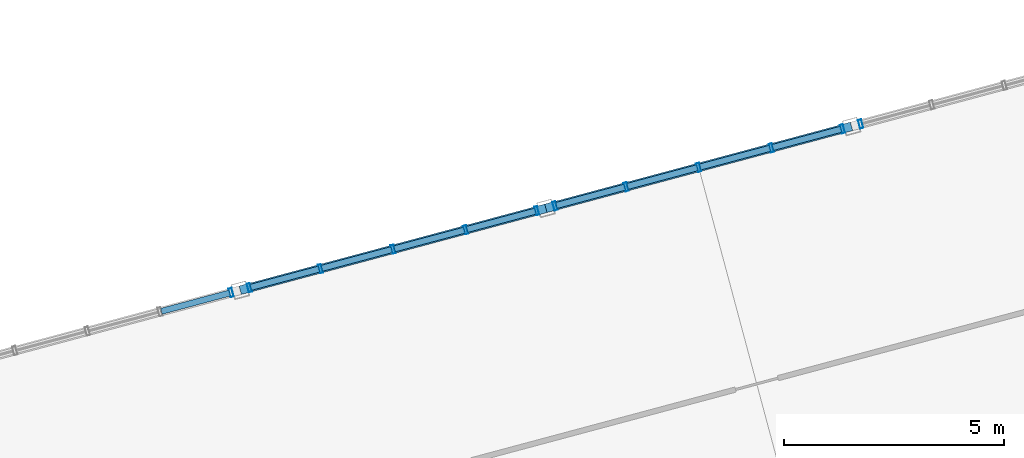
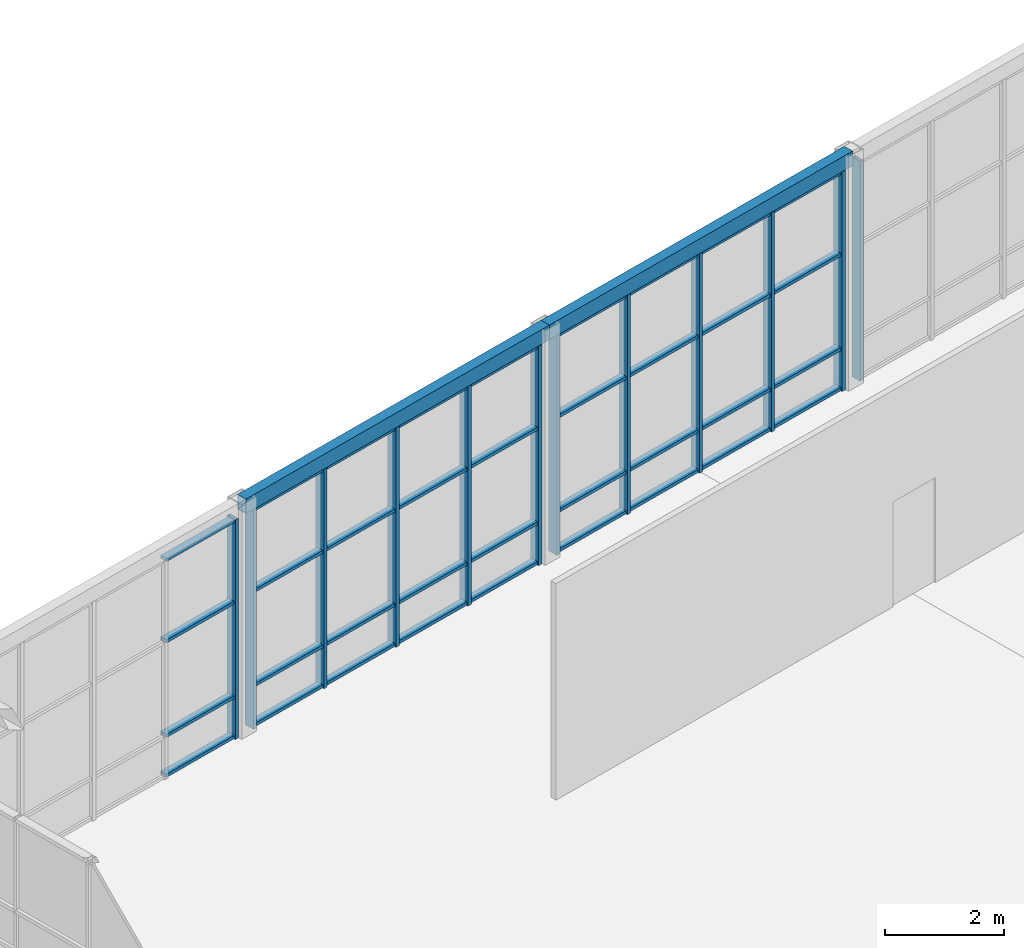
# One storey, part 37 of 99: 48 members, 2 beams, 4 elements without a shape of their own.
"""IFC4 building model written with IfcOpenShell, lengths in metres."""

from ifc_helpers import new_model, si_unit, direction, frame, origin, origin_2d, place, context, subcontext, project, spatial, hollow_rectangle, extrude, material, layer, layer_set, material_profile, profile_set, type_object, element, aggregate, save


model = new_model("IFC4")

# Units and contexts
model_context = context("Model", 3, precision=1e-05, world=origin(), true_north=direction((0.0, 1.0)))
body_context = subcontext(model_context, "Body", "Model", "MODEL_VIEW")
ifc_project = project(units=[si_unit("LENGTHUNIT", "METRE"), si_unit("AREAUNIT", "SQUARE_METRE"), si_unit("VOLUMEUNIT", "CUBIC_METRE"), si_unit("PLANEANGLEUNIT", "RADIAN"), si_unit("MASSUNIT", "GRAM", prefix="KILO")], contexts=[model_context])

# Site, building, storey
site_placement = place(None, origin())
site = spatial("IfcSite", under=ifc_project, at=site_placement, CompositionType="ELEMENT")
building_placement = place(site_placement, origin())
building = spatial("IfcBuilding", under=site, at=building_placement, Name="Ventoquebrada Cableway Terminal", CompositionType="ELEMENT")
storey_placement = place(building_placement, frame((0.0, 0.0, 9.60009765625)))
storey = spatial("IfcBuildingStorey", under=building, at=storey_placement, Name="L02", CompositionType="ELEMENT", Elevation=9.60009765625)

# Curtain wall, member
ifc_material_1 = material(Name="Anodized thermally-broken aluminium", Category="aluminium")
ifc_layer = layer(ifc_material_1, 0.159912109375)
ifc_layer_set = layer_set([ifc_layer], Name="Anodized thermally-broken aluminium")
curtain_wall_type = type_object("IfcCurtainWallType", Name="CW-T40", PredefinedType="USERDEFINED", material=ifc_layer_set)
curtain_wall_1_placement = place(storey_placement, origin())
curtain_wall_1 = element("IfcCurtainWall", 1, at=curtain_wall_1_placement, inside=storey, type_object=curtain_wall_type, Name="Unitised glazed curtain wall CW-106", ObjectType="UNITISED CURTAIN WALL", PredefinedType="USERDEFINED")
ifc_material_profile_1 = material_profile(ifc_material_1, hollow_rectangle(XDim=0.074951171875, YDim=0.199951171875, WallThickness=0.00439453125, at=origin_2d()), Name="CW-MUL-75X200")
ifc_profile_set_1 = profile_set([ifc_material_profile_1], Name="Anodized thermally-broken aluminium")
member_type_1 = type_object("IfcMemberType", Name="CWM-02", PredefinedType="MULLION", material=ifc_profile_set_1)
member_1_placement = place(storey_placement, frame((51.9951171875, 96.7060546875, -0.008056640625), z_axis=(0.0, 0.0, 1.0), x_axis=(-0.965930343386, -0.258802186477, 0.0)))
member_1 = element("IfcMember", 2, at=member_1_placement, type_object=member_type_1, Name="Curtain wall mullion FML-0515", PredefinedType="MULLION", context=body_context, shape_type="SweptSolid", body=[
    extrude(hollow_rectangle(XDim=0.074951171875, YDim=0.199951171875, WallThickness=0.00439453125, at=origin_2d()), origin(), (0.0, 0.0, 1.0), 4.5029296875),
])

# Curtain wall, members
curtain_wall_2_placement = place(storey_placement, origin())
curtain_wall_2 = element("IfcCurtainWall", 3, at=curtain_wall_2_placement, inside=storey, type_object=curtain_wall_type, Name="Unitised glazed curtain wall CW-107", ObjectType="UNITISED CURTAIN WALL", PredefinedType="USERDEFINED")
member_2_placement = place(storey_placement, frame((58.949951171875, 98.569091796875, -0.008056640625), z_axis=(0.0, 0.0, 1.0), x_axis=(-0.965975498177, -0.258633595888, 0.0)))
member_2 = element("IfcMember", 4, at=member_2_placement, type_object=member_type_1, Name="Curtain wall mullion FML-0520", PredefinedType="MULLION", context=body_context, shape_type="SweptSolid", body=[
    extrude(hollow_rectangle(XDim=0.074951171875, YDim=0.199951171875, WallThickness=0.00439453125, at=origin_2d()), origin(), (0.0, 0.0, 1.0), 4.5029296875),
])
member_3_placement = place(storey_placement, frame((57.33203125, 98.135986328125, -0.008056640625), z_axis=(0.0, 0.0, 1.0), x_axis=(-0.965975498177, -0.258633595888, 0.0)))
member_3 = element("IfcMember", 5, at=member_3_placement, type_object=member_type_1, Name="Curtain wall mullion FML-0521", PredefinedType="MULLION", context=body_context, shape_type="SweptSolid", body=[
    extrude(hollow_rectangle(XDim=0.074951171875, YDim=0.199951171875, WallThickness=0.00439453125, at=origin_2d()), origin(), (0.0, 0.0, 1.0), 4.5029296875),
])
member_4_placement = place(storey_placement, frame((55.680908203125, 97.694091796875, -0.008056640625), z_axis=(0.0, 0.0, 1.0), x_axis=(-0.965975498177, -0.258633595888, 0.0)))
member_4 = element("IfcMember", 6, at=member_4_placement, type_object=member_type_1, Name="Curtain wall mullion FML-0522", PredefinedType="MULLION", context=body_context, shape_type="SweptSolid", body=[
    extrude(hollow_rectangle(XDim=0.074951171875, YDim=0.199951171875, WallThickness=0.00439453125, at=origin_2d()), origin(), (0.0, 0.0, 1.0), 4.5029296875),
])
member_5_placement = place(storey_placement, frame((54.029052734375, 97.2509765625, -0.008056640625), z_axis=(0.0, 0.0, 1.0), x_axis=(-0.965975498177, -0.258633595888, 0.0)))
member_5 = element("IfcMember", 7, at=member_5_placement, type_object=member_type_1, Name="Curtain wall mullion FML-0523", PredefinedType="MULLION", context=body_context, shape_type="SweptSolid", body=[
    extrude(hollow_rectangle(XDim=0.074951171875, YDim=0.199951171875, WallThickness=0.00439453125, at=origin_2d()), origin(), (0.0, 0.0, 1.0), 4.5029296875),
])
member_6_placement = place(storey_placement, frame((52.410888671875, 96.818115234375, -0.008056640625), z_axis=(0.0, 0.0, 1.0), x_axis=(-0.965975498177, -0.258633595888, 0.0)))
member_6 = element("IfcMember", 8, at=member_6_placement, type_object=member_type_1, Name="Curtain wall mullion FML-0524", PredefinedType="MULLION", context=body_context, shape_type="SweptSolid", body=[
    extrude(hollow_rectangle(XDim=0.074951171875, YDim=0.199951171875, WallThickness=0.00439453125, at=origin_2d()), origin(), (0.0, 0.0, 1.0), 4.5029296875),
])

curtain_wall_3_placement = place(storey_placement, origin())
curtain_wall_3 = element("IfcCurtainWall", 9, at=curtain_wall_3_placement, inside=storey, type_object=curtain_wall_type, Name="Unitised glazed curtain wall CW-108", ObjectType="UNITISED CURTAIN WALL", PredefinedType="USERDEFINED")
member_7_placement = place(storey_placement, frame((65.905029296875, 100.43310546875, -0.008056640625), z_axis=(0.0, 0.0, 1.0), x_axis=(-0.965939376699, -0.25876846899, 0.0)))
member_7 = element("IfcMember", 10, at=member_7_placement, type_object=member_type_1, Name="Curtain wall mullion FML-0525", PredefinedType="MULLION", context=body_context, shape_type="SweptSolid", body=[
    extrude(hollow_rectangle(XDim=0.074951171875, YDim=0.199951171875, WallThickness=0.00439453125, at=origin_2d()), origin(), (0.0, 0.0, 1.0), 4.5029296875),
])
member_8_placement = place(storey_placement, frame((64.287109375, 99.9990234375, -0.008056640625), z_axis=(0.0, 0.0, 1.0), x_axis=(-0.965939376699, -0.25876846899, 0.0)))
member_8 = element("IfcMember", 11, at=member_8_placement, type_object=member_type_1, Name="Curtain wall mullion FML-0526", PredefinedType="MULLION", context=body_context, shape_type="SweptSolid", body=[
    extrude(hollow_rectangle(XDim=0.074951171875, YDim=0.199951171875, WallThickness=0.00439453125, at=origin_2d()), origin(), (0.0, 0.0, 1.0), 4.5029296875),
])
member_9_placement = place(storey_placement, frame((62.635009765625, 99.556884765625, -0.008056640625), z_axis=(0.0, 0.0, 1.0), x_axis=(-0.965939376699, -0.25876846899, 0.0)))
member_9 = element("IfcMember", 12, at=member_9_placement, type_object=member_type_1, Name="Curtain wall mullion FML-0527", PredefinedType="MULLION", context=body_context, shape_type="SweptSolid", body=[
    extrude(hollow_rectangle(XDim=0.074951171875, YDim=0.199951171875, WallThickness=0.00439453125, at=origin_2d()), origin(), (0.0, 0.0, 1.0), 4.5029296875),
])
member_10_placement = place(storey_placement, frame((60.98388671875, 99.114013671875, -0.008056640625), z_axis=(0.0, 0.0, 1.0), x_axis=(-0.965939376699, -0.25876846899, 0.0)))
member_10 = element("IfcMember", 13, at=member_10_placement, type_object=member_type_1, Name="Curtain wall mullion FML-0528", PredefinedType="MULLION", context=body_context, shape_type="SweptSolid", body=[
    extrude(hollow_rectangle(XDim=0.074951171875, YDim=0.199951171875, WallThickness=0.00439453125, at=origin_2d()), origin(), (0.0, 0.0, 1.0), 4.5029296875),
])
member_11_placement = place(storey_placement, frame((59.365966796875, 98.680908203125, -0.008056640625), z_axis=(0.0, 0.0, 1.0), x_axis=(-0.965939376699, -0.25876846899, 0.0)))
member_11 = element("IfcMember", 14, at=member_11_placement, type_object=member_type_1, Name="Curtain wall mullion FML-0529", PredefinedType="MULLION", context=body_context, shape_type="SweptSolid", body=[
    extrude(hollow_rectangle(XDim=0.074951171875, YDim=0.199951171875, WallThickness=0.00439453125, at=origin_2d()), origin(), (0.0, 0.0, 1.0), 4.5029296875),
])

# Curtain wall, member
curtain_wall_4_placement = place(storey_placement, origin())
curtain_wall_4 = element("IfcCurtainWall", 15, at=curtain_wall_4_placement, inside=storey, type_object=curtain_wall_type, Name="Unitised glazed curtain wall CW-109", ObjectType="UNITISED CURTAIN WALL", PredefinedType="USERDEFINED")
member_12_placement = place(storey_placement, frame((66.321044921875, 100.544921875, -0.008056640625), z_axis=(0.0, 0.0, 1.0), x_axis=(-0.965966469573, -0.258667314636, 0.0)))
member_12 = element("IfcMember", 16, at=member_12_placement, type_object=member_type_1, Name="Curtain wall mullion FML-0534", PredefinedType="MULLION", context=body_context, shape_type="SweptSolid", body=[
    extrude(hollow_rectangle(XDim=0.074951171875, YDim=0.199951171875, WallThickness=0.00439453125, at=origin_2d()), origin(), (0.0, 0.0, 1.0), 4.5029296875),
])
aggregate(curtain_wall_4, [member_12])

# Member
ifc_material_profile_2 = material_profile(ifc_material_1, hollow_rectangle(XDim=0.06494140625, YDim=0.139892578125, WallThickness=0.00390625, at=origin_2d()), Name="CW-TRN-65X140")
ifc_profile_set_2 = profile_set([ifc_material_profile_2], Name="Anodized thermally-broken aluminium")
member_type_2 = type_object("IfcMemberType", Name="CWT-01", PredefinedType="USERDEFINED", material=ifc_profile_set_2)
member_13_placement = place(storey_placement, frame((51.964111328125, 96.697998046875, 0.034912109375), z_axis=(-0.965881701481, -0.258983665013, 0.0), x_axis=(0.0, 0.0, 1.0)))
member_13 = element("IfcMember", 17, at=member_13_placement, type_object=member_type_2, Name="Curtain wall transom FTR-1516", ObjectType="TRANSOM", PredefinedType="USERDEFINED", context=body_context, shape_type="SweptSolid", body=[
    extrude(hollow_rectangle(XDim=0.06494140625, YDim=0.139892578125, WallThickness=0.00390625, at=origin_2d()), origin(), (0.0, 0.0, 1.0), 1.610107421875),
])

member_14_placement = place(storey_placement, frame((51.964111328125, 96.697998046875, 0.849853515625), z_axis=(-0.965881701481, -0.258983665013, 0.0), x_axis=(0.0, 0.0, 1.0)))
member_14 = element("IfcMember", 18, at=member_14_placement, type_object=member_type_2, Name="Curtain wall transom FTR-1517", ObjectType="TRANSOM", PredefinedType="USERDEFINED", context=body_context, shape_type="SweptSolid", body=[
    extrude(hollow_rectangle(XDim=0.06494140625, YDim=0.139892578125, WallThickness=0.00390625, at=origin_2d()), origin(), (0.0, 0.0, 1.0), 1.610107421875),
])

member_15_placement = place(storey_placement, frame((51.964111328125, 96.697998046875, 2.783935546875), z_axis=(-0.965881701481, -0.258983665013, 0.0), x_axis=(0.0, 0.0, 1.0)))
member_15 = element("IfcMember", 19, at=member_15_placement, type_object=member_type_2, Name="Curtain wall transom FTR-1518", ObjectType="TRANSOM", PredefinedType="USERDEFINED", context=body_context, shape_type="SweptSolid", body=[
    extrude(hollow_rectangle(XDim=0.06494140625, YDim=0.139892578125, WallThickness=0.00390625, at=origin_2d()), origin(), (0.0, 0.0, 1.0), 1.610107421875),
])

member_16_placement = place(storey_placement, frame((51.964111328125, 96.697998046875, 4.454833984375), z_axis=(-0.965881701481, -0.258983665013, 0.0), x_axis=(0.0, 0.0, 1.0)))
member_16 = element("IfcMember", 20, at=member_16_placement, type_object=member_type_2, Name="Curtain wall transom FTR-1519", ObjectType="TRANSOM", PredefinedType="USERDEFINED", context=body_context, shape_type="SweptSolid", body=[
    extrude(hollow_rectangle(XDim=0.06494140625, YDim=0.139892578125, WallThickness=0.00390625, at=origin_2d()), origin(), (0.0, 0.0, 1.0), 1.610107421875),
])

aggregate(curtain_wall_1, [member_1, member_13, member_14, member_15, member_16])

member_17_placement = place(storey_placement, frame((58.9189453125, 98.56103515625, 0.034912109375), z_axis=(-0.965871529052, -0.259021600192, 0.0), x_axis=(0.0, 0.0, 1.0)))
member_17 = element("IfcMember", 21, at=member_17_placement, type_object=member_type_2, Name="Curtain wall transom FTR-1532", ObjectType="TRANSOM", PredefinedType="USERDEFINED", context=body_context, shape_type="SweptSolid", body=[
    extrude(hollow_rectangle(XDim=0.06494140625, YDim=0.139892578125, WallThickness=0.00390625, at=origin_2d()), origin(), (0.0, 0.0, 1.0), 1.60986328125),
])

member_18_placement = place(storey_placement, frame((58.9189453125, 98.56103515625, 0.849853515625), z_axis=(-0.965871529052, -0.259021600192, 0.0), x_axis=(0.0, 0.0, 1.0)))
member_18 = element("IfcMember", 22, at=member_18_placement, type_object=member_type_2, Name="Curtain wall transom FTR-1533", ObjectType="TRANSOM", PredefinedType="USERDEFINED", context=body_context, shape_type="SweptSolid", body=[
    extrude(hollow_rectangle(XDim=0.06494140625, YDim=0.139892578125, WallThickness=0.00390625, at=origin_2d()), origin(), (0.0, 0.0, 1.0), 1.60986328125),
])

member_19_placement = place(storey_placement, frame((58.9189453125, 98.56103515625, 2.783935546875), z_axis=(-0.965871529052, -0.259021600192, 0.0), x_axis=(0.0, 0.0, 1.0)))
member_19 = element("IfcMember", 23, at=member_19_placement, type_object=member_type_2, Name="Curtain wall transom FTR-1534", ObjectType="TRANSOM", PredefinedType="USERDEFINED", context=body_context, shape_type="SweptSolid", body=[
    extrude(hollow_rectangle(XDim=0.06494140625, YDim=0.139892578125, WallThickness=0.00390625, at=origin_2d()), origin(), (0.0, 0.0, 1.0), 1.60986328125),
])

member_20_placement = place(storey_placement, frame((58.9189453125, 98.56103515625, 4.454833984375), z_axis=(-0.965871529052, -0.259021600192, 0.0), x_axis=(0.0, 0.0, 1.0)))
member_20 = element("IfcMember", 24, at=member_20_placement, type_object=member_type_2, Name="Curtain wall transom FTR-1535", ObjectType="TRANSOM", PredefinedType="USERDEFINED", context=body_context, shape_type="SweptSolid", body=[
    extrude(hollow_rectangle(XDim=0.06494140625, YDim=0.139892578125, WallThickness=0.00390625, at=origin_2d()), origin(), (0.0, 0.0, 1.0), 1.60986328125),
])

member_21_placement = place(storey_placement, frame((57.301025390625, 98.126953125, 0.034912109375), z_axis=(-0.966040060403, -0.25839234063, 0.0), x_axis=(0.0, 0.0, 1.0)))
member_21 = element("IfcMember", 25, at=member_21_placement, type_object=member_type_2, Name="Curtain wall transom FTR-1536", ObjectType="TRANSOM", PredefinedType="USERDEFINED", context=body_context, shape_type="SweptSolid", body=[
    extrude(hollow_rectangle(XDim=0.06494140625, YDim=0.139892578125, WallThickness=0.00390625, at=origin_2d()), origin(), (0.0, 0.0, 1.0), 1.64501953125),
])

member_22_placement = place(storey_placement, frame((57.301025390625, 98.126953125, 0.849853515625), z_axis=(-0.966040060403, -0.25839234063, 0.0), x_axis=(0.0, 0.0, 1.0)))
member_22 = element("IfcMember", 26, at=member_22_placement, type_object=member_type_2, Name="Curtain wall transom FTR-1537", ObjectType="TRANSOM", PredefinedType="USERDEFINED", context=body_context, shape_type="SweptSolid", body=[
    extrude(hollow_rectangle(XDim=0.06494140625, YDim=0.139892578125, WallThickness=0.00390625, at=origin_2d()), origin(), (0.0, 0.0, 1.0), 1.64501953125),
])

member_23_placement = place(storey_placement, frame((57.301025390625, 98.126953125, 2.783935546875), z_axis=(-0.966040060403, -0.25839234063, 0.0), x_axis=(0.0, 0.0, 1.0)))
member_23 = element("IfcMember", 27, at=member_23_placement, type_object=member_type_2, Name="Curtain wall transom FTR-1538", ObjectType="TRANSOM", PredefinedType="USERDEFINED", context=body_context, shape_type="SweptSolid", body=[
    extrude(hollow_rectangle(XDim=0.06494140625, YDim=0.139892578125, WallThickness=0.00390625, at=origin_2d()), origin(), (0.0, 0.0, 1.0), 1.64501953125),
])

member_24_placement = place(storey_placement, frame((57.301025390625, 98.126953125, 4.454833984375), z_axis=(-0.966040060403, -0.25839234063, 0.0), x_axis=(0.0, 0.0, 1.0)))
member_24 = element("IfcMember", 28, at=member_24_placement, type_object=member_type_2, Name="Curtain wall transom FTR-1539", ObjectType="TRANSOM", PredefinedType="USERDEFINED", context=body_context, shape_type="SweptSolid", body=[
    extrude(hollow_rectangle(XDim=0.06494140625, YDim=0.139892578125, WallThickness=0.00390625, at=origin_2d()), origin(), (0.0, 0.0, 1.0), 1.64501953125),
])

member_25_placement = place(storey_placement, frame((55.64892578125, 97.68505859375, 0.034912109375), z_axis=(-0.966030149036, -0.258429392974, 0.0), x_axis=(0.0, 0.0, 1.0)))
member_25 = element("IfcMember", 29, at=member_25_placement, type_object=member_type_2, Name="Curtain wall transom FTR-1540", ObjectType="TRANSOM", PredefinedType="USERDEFINED", context=body_context, shape_type="SweptSolid", body=[
    extrude(hollow_rectangle(XDim=0.06494140625, YDim=0.139892578125, WallThickness=0.00390625, at=origin_2d()), origin(), (0.0, 0.0, 1.0), 1.644775390625),
])

member_26_placement = place(storey_placement, frame((55.64892578125, 97.68505859375, 0.849853515625), z_axis=(-0.966030149036, -0.258429392974, 0.0), x_axis=(0.0, 0.0, 1.0)))
member_26 = element("IfcMember", 30, at=member_26_placement, type_object=member_type_2, Name="Curtain wall transom FTR-1541", ObjectType="TRANSOM", PredefinedType="USERDEFINED", context=body_context, shape_type="SweptSolid", body=[
    extrude(hollow_rectangle(XDim=0.06494140625, YDim=0.139892578125, WallThickness=0.00390625, at=origin_2d()), origin(), (0.0, 0.0, 1.0), 1.644775390625),
])

member_27_placement = place(storey_placement, frame((55.64892578125, 97.68505859375, 2.783935546875), z_axis=(-0.966030149036, -0.258429392974, 0.0), x_axis=(0.0, 0.0, 1.0)))
member_27 = element("IfcMember", 31, at=member_27_placement, type_object=member_type_2, Name="Curtain wall transom FTR-1542", ObjectType="TRANSOM", PredefinedType="USERDEFINED", context=body_context, shape_type="SweptSolid", body=[
    extrude(hollow_rectangle(XDim=0.06494140625, YDim=0.139892578125, WallThickness=0.00390625, at=origin_2d()), origin(), (0.0, 0.0, 1.0), 1.644775390625),
])

member_28_placement = place(storey_placement, frame((55.64892578125, 97.68505859375, 4.454833984375), z_axis=(-0.966030149036, -0.258429392974, 0.0), x_axis=(0.0, 0.0, 1.0)))
member_28 = element("IfcMember", 32, at=member_28_placement, type_object=member_type_2, Name="Curtain wall transom FTR-1543", ObjectType="TRANSOM", PredefinedType="USERDEFINED", context=body_context, shape_type="SweptSolid", body=[
    extrude(hollow_rectangle(XDim=0.06494140625, YDim=0.139892578125, WallThickness=0.00390625, at=origin_2d()), origin(), (0.0, 0.0, 1.0), 1.644775390625),
])

member_29_placement = place(storey_placement, frame((53.9970703125, 97.242919921875, 0.034912109375), z_axis=(-0.965881701481, -0.258983665013, 0.0), x_axis=(0.0, 0.0, 1.0)))
member_29 = element("IfcMember", 33, at=member_29_placement, type_object=member_type_2, Name="Curtain wall transom FTR-1544", ObjectType="TRANSOM", PredefinedType="USERDEFINED", context=body_context, shape_type="SweptSolid", body=[
    extrude(hollow_rectangle(XDim=0.06494140625, YDim=0.139892578125, WallThickness=0.00390625, at=origin_2d()), origin(), (0.0, 0.0, 1.0), 1.610107421875),
])

member_30_placement = place(storey_placement, frame((53.9970703125, 97.242919921875, 0.849853515625), z_axis=(-0.965881701481, -0.258983665013, 0.0), x_axis=(0.0, 0.0, 1.0)))
member_30 = element("IfcMember", 34, at=member_30_placement, type_object=member_type_2, Name="Curtain wall transom FTR-1545", ObjectType="TRANSOM", PredefinedType="USERDEFINED", context=body_context, shape_type="SweptSolid", body=[
    extrude(hollow_rectangle(XDim=0.06494140625, YDim=0.139892578125, WallThickness=0.00390625, at=origin_2d()), origin(), (0.0, 0.0, 1.0), 1.610107421875),
])

member_31_placement = place(storey_placement, frame((53.9970703125, 97.242919921875, 2.783935546875), z_axis=(-0.965881701481, -0.258983665013, 0.0), x_axis=(0.0, 0.0, 1.0)))
member_31 = element("IfcMember", 35, at=member_31_placement, type_object=member_type_2, Name="Curtain wall transom FTR-1546", ObjectType="TRANSOM", PredefinedType="USERDEFINED", context=body_context, shape_type="SweptSolid", body=[
    extrude(hollow_rectangle(XDim=0.06494140625, YDim=0.139892578125, WallThickness=0.00390625, at=origin_2d()), origin(), (0.0, 0.0, 1.0), 1.610107421875),
])

member_32_placement = place(storey_placement, frame((53.9970703125, 97.242919921875, 4.454833984375), z_axis=(-0.965881701481, -0.258983665013, 0.0), x_axis=(0.0, 0.0, 1.0)))
member_32 = element("IfcMember", 36, at=member_32_placement, type_object=member_type_2, Name="Curtain wall transom FTR-1547", ObjectType="TRANSOM", PredefinedType="USERDEFINED", context=body_context, shape_type="SweptSolid", body=[
    extrude(hollow_rectangle(XDim=0.06494140625, YDim=0.139892578125, WallThickness=0.00390625, at=origin_2d()), origin(), (0.0, 0.0, 1.0), 1.610107421875),
])

aggregate(curtain_wall_2, [member_2, member_3, member_4, member_5, member_6, member_17, member_18, member_19, member_20, member_21, member_22, member_23, member_24, member_25, member_26, member_27, member_28, member_29, member_30, member_31, member_32])

member_33_placement = place(storey_placement, frame((65.8740234375, 100.425048828125, 0.034912109375), z_axis=(-0.965871529052, -0.259021600192, 0.0), x_axis=(0.0, 0.0, 1.0)))
member_33 = element("IfcMember", 37, at=member_33_placement, type_object=member_type_2, Name="Curtain wall transom FTR-1548", ObjectType="TRANSOM", PredefinedType="USERDEFINED", context=body_context, shape_type="SweptSolid", body=[
    extrude(hollow_rectangle(XDim=0.06494140625, YDim=0.139892578125, WallThickness=0.00390625, at=origin_2d()), origin(), (0.0, 0.0, 1.0), 1.60986328125),
])

member_34_placement = place(storey_placement, frame((65.8740234375, 100.425048828125, 0.849853515625), z_axis=(-0.965871529052, -0.259021600192, 0.0), x_axis=(0.0, 0.0, 1.0)))
member_34 = element("IfcMember", 38, at=member_34_placement, type_object=member_type_2, Name="Curtain wall transom FTR-1549", ObjectType="TRANSOM", PredefinedType="USERDEFINED", context=body_context, shape_type="SweptSolid", body=[
    extrude(hollow_rectangle(XDim=0.06494140625, YDim=0.139892578125, WallThickness=0.00390625, at=origin_2d()), origin(), (0.0, 0.0, 1.0), 1.60986328125),
])

member_35_placement = place(storey_placement, frame((65.8740234375, 100.425048828125, 2.783935546875), z_axis=(-0.965871529052, -0.259021600192, 0.0), x_axis=(0.0, 0.0, 1.0)))
member_35 = element("IfcMember", 39, at=member_35_placement, type_object=member_type_2, Name="Curtain wall transom FTR-1550", ObjectType="TRANSOM", PredefinedType="USERDEFINED", context=body_context, shape_type="SweptSolid", body=[
    extrude(hollow_rectangle(XDim=0.06494140625, YDim=0.139892578125, WallThickness=0.00390625, at=origin_2d()), origin(), (0.0, 0.0, 1.0), 1.60986328125),
])

member_36_placement = place(storey_placement, frame((65.8740234375, 100.425048828125, 4.454833984375), z_axis=(-0.965871529052, -0.259021600192, 0.0), x_axis=(0.0, 0.0, 1.0)))
member_36 = element("IfcMember", 40, at=member_36_placement, type_object=member_type_2, Name="Curtain wall transom FTR-1551", ObjectType="TRANSOM", PredefinedType="USERDEFINED", context=body_context, shape_type="SweptSolid", body=[
    extrude(hollow_rectangle(XDim=0.06494140625, YDim=0.139892578125, WallThickness=0.00390625, at=origin_2d()), origin(), (0.0, 0.0, 1.0), 1.60986328125),
])

member_37_placement = place(storey_placement, frame((64.256103515625, 99.990966796875, 0.034912109375), z_axis=(-0.965891735452, -0.258946240339, 0.0), x_axis=(0.0, 0.0, 1.0)))
member_37 = element("IfcMember", 41, at=member_37_placement, type_object=member_type_2, Name="Curtain wall transom FTR-1552", ObjectType="TRANSOM", PredefinedType="USERDEFINED", context=body_context, shape_type="SweptSolid", body=[
    extrude(hollow_rectangle(XDim=0.06494140625, YDim=0.139892578125, WallThickness=0.00390625, at=origin_2d()), origin(), (0.0, 0.0, 1.0), 1.645263671875),
])

member_38_placement = place(storey_placement, frame((64.256103515625, 99.990966796875, 0.849853515625), z_axis=(-0.965891735452, -0.258946240339, 0.0), x_axis=(0.0, 0.0, 1.0)))
member_38 = element("IfcMember", 42, at=member_38_placement, type_object=member_type_2, Name="Curtain wall transom FTR-1553", ObjectType="TRANSOM", PredefinedType="USERDEFINED", context=body_context, shape_type="SweptSolid", body=[
    extrude(hollow_rectangle(XDim=0.06494140625, YDim=0.139892578125, WallThickness=0.00390625, at=origin_2d()), origin(), (0.0, 0.0, 1.0), 1.645263671875),
])

member_39_placement = place(storey_placement, frame((64.256103515625, 99.990966796875, 2.783935546875), z_axis=(-0.965891735452, -0.258946240339, 0.0), x_axis=(0.0, 0.0, 1.0)))
member_39 = element("IfcMember", 43, at=member_39_placement, type_object=member_type_2, Name="Curtain wall transom FTR-1554", ObjectType="TRANSOM", PredefinedType="USERDEFINED", context=body_context, shape_type="SweptSolid", body=[
    extrude(hollow_rectangle(XDim=0.06494140625, YDim=0.139892578125, WallThickness=0.00390625, at=origin_2d()), origin(), (0.0, 0.0, 1.0), 1.645263671875),
])

member_40_placement = place(storey_placement, frame((64.256103515625, 99.990966796875, 4.454833984375), z_axis=(-0.965891735452, -0.258946240339, 0.0), x_axis=(0.0, 0.0, 1.0)))
member_40 = element("IfcMember", 44, at=member_40_placement, type_object=member_type_2, Name="Curtain wall transom FTR-1555", ObjectType="TRANSOM", PredefinedType="USERDEFINED", context=body_context, shape_type="SweptSolid", body=[
    extrude(hollow_rectangle(XDim=0.06494140625, YDim=0.139892578125, WallThickness=0.00390625, at=origin_2d()), origin(), (0.0, 0.0, 1.0), 1.645263671875),
])

member_41_placement = place(storey_placement, frame((62.60400390625, 99.549072265625, 0.034912109375), z_axis=(-0.965891735452, -0.258946240339, 0.0), x_axis=(0.0, 0.0, 1.0)))
member_41 = element("IfcMember", 45, at=member_41_placement, type_object=member_type_2, Name="Curtain wall transom FTR-1556", ObjectType="TRANSOM", PredefinedType="USERDEFINED", context=body_context, shape_type="SweptSolid", body=[
    extrude(hollow_rectangle(XDim=0.06494140625, YDim=0.139892578125, WallThickness=0.00390625, at=origin_2d()), origin(), (0.0, 0.0, 1.0), 1.645263671875),
])

member_42_placement = place(storey_placement, frame((62.60400390625, 99.549072265625, 0.849853515625), z_axis=(-0.965891735452, -0.258946240339, 0.0), x_axis=(0.0, 0.0, 1.0)))
member_42 = element("IfcMember", 46, at=member_42_placement, type_object=member_type_2, Name="Curtain wall transom FTR-1557", ObjectType="TRANSOM", PredefinedType="USERDEFINED", context=body_context, shape_type="SweptSolid", body=[
    extrude(hollow_rectangle(XDim=0.06494140625, YDim=0.139892578125, WallThickness=0.00390625, at=origin_2d()), origin(), (0.0, 0.0, 1.0), 1.645263671875),
])

member_43_placement = place(storey_placement, frame((62.60400390625, 99.549072265625, 2.783935546875), z_axis=(-0.965891735452, -0.258946240339, 0.0), x_axis=(0.0, 0.0, 1.0)))
member_43 = element("IfcMember", 47, at=member_43_placement, type_object=member_type_2, Name="Curtain wall transom FTR-1558", ObjectType="TRANSOM", PredefinedType="USERDEFINED", context=body_context, shape_type="SweptSolid", body=[
    extrude(hollow_rectangle(XDim=0.06494140625, YDim=0.139892578125, WallThickness=0.00390625, at=origin_2d()), origin(), (0.0, 0.0, 1.0), 1.645263671875),
])

member_44_placement = place(storey_placement, frame((62.60400390625, 99.549072265625, 4.454833984375), z_axis=(-0.965891735452, -0.258946240339, 0.0), x_axis=(0.0, 0.0, 1.0)))
member_44 = element("IfcMember", 48, at=member_44_placement, type_object=member_type_2, Name="Curtain wall transom FTR-1559", ObjectType="TRANSOM", PredefinedType="USERDEFINED", context=body_context, shape_type="SweptSolid", body=[
    extrude(hollow_rectangle(XDim=0.06494140625, YDim=0.139892578125, WallThickness=0.00390625, at=origin_2d()), origin(), (0.0, 0.0, 1.0), 1.645263671875),
])

member_45_placement = place(storey_placement, frame((60.951904296875, 99.10595703125, 0.034912109375), z_axis=(-0.965871529052, -0.259021600192, 0.0), x_axis=(0.0, 0.0, 1.0)))
member_45 = element("IfcMember", 49, at=member_45_placement, type_object=member_type_2, Name="Curtain wall transom FTR-1560", ObjectType="TRANSOM", PredefinedType="USERDEFINED", context=body_context, shape_type="SweptSolid", body=[
    extrude(hollow_rectangle(XDim=0.06494140625, YDim=0.139892578125, WallThickness=0.00390625, at=origin_2d()), origin(), (0.0, 0.0, 1.0), 1.60986328125),
])

member_46_placement = place(storey_placement, frame((60.951904296875, 99.10595703125, 0.849853515625), z_axis=(-0.965871529052, -0.259021600192, 0.0), x_axis=(0.0, 0.0, 1.0)))
member_46 = element("IfcMember", 50, at=member_46_placement, type_object=member_type_2, Name="Curtain wall transom FTR-1561", ObjectType="TRANSOM", PredefinedType="USERDEFINED", context=body_context, shape_type="SweptSolid", body=[
    extrude(hollow_rectangle(XDim=0.06494140625, YDim=0.139892578125, WallThickness=0.00390625, at=origin_2d()), origin(), (0.0, 0.0, 1.0), 1.60986328125),
])

member_47_placement = place(storey_placement, frame((60.951904296875, 99.10595703125, 2.783935546875), z_axis=(-0.965871529052, -0.259021600192, 0.0), x_axis=(0.0, 0.0, 1.0)))
member_47 = element("IfcMember", 51, at=member_47_placement, type_object=member_type_2, Name="Curtain wall transom FTR-1562", ObjectType="TRANSOM", PredefinedType="USERDEFINED", context=body_context, shape_type="SweptSolid", body=[
    extrude(hollow_rectangle(XDim=0.06494140625, YDim=0.139892578125, WallThickness=0.00390625, at=origin_2d()), origin(), (0.0, 0.0, 1.0), 1.60986328125),
])

member_48_placement = place(storey_placement, frame((60.951904296875, 99.10595703125, 4.454833984375), z_axis=(-0.965871529052, -0.259021600192, 0.0), x_axis=(0.0, 0.0, 1.0)))
member_48 = element("IfcMember", 52, at=member_48_placement, type_object=member_type_2, Name="Curtain wall transom FTR-1563", ObjectType="TRANSOM", PredefinedType="USERDEFINED", context=body_context, shape_type="SweptSolid", body=[
    extrude(hollow_rectangle(XDim=0.06494140625, YDim=0.139892578125, WallThickness=0.00390625, at=origin_2d()), origin(), (0.0, 0.0, 1.0), 1.60986328125),
])

aggregate(curtain_wall_3, [member_7, member_8, member_9, member_10, member_11, member_33, member_34, member_35, member_36, member_37, member_38, member_39, member_40, member_41, member_42, member_43, member_44, member_45, member_46, member_47, member_48])

# Beams
ifc_material_2 = material(Name="Steel ASTM A500 Grade C", Category="steel")
ifc_material_profile_3 = material_profile(ifc_material_2, hollow_rectangle(XDim=0.199951171875, YDim=0.300048828125, WallThickness=0.012451171875, at=origin_2d()), Name="RHS300X200X12.5")
ifc_profile_set_3 = profile_set([ifc_material_profile_3], Name="Steel ASTM A500 Grade C")
beam_type = type_object("IfcBeamType", Name="SP-ST02", PredefinedType="SPANDREL", material=ifc_profile_set_3)
beam_1_placement = place(storey_placement, frame((52.202880859375, 96.761962890625, 4.64990234375), z_axis=(0.965945630245, 0.258745124417, 0.0), x_axis=(-0.258745124417, 0.965945630245, 0.0)))
element("IfcBeam", 53, at=beam_1_placement, inside=storey, type_object=beam_type, Name="Boarding hall perimeter tie beam FBM-1095", PredefinedType="SPANDREL", context=body_context, shape_type="SweptSolid", body=[
    extrude(hollow_rectangle(XDim=0.199951171875, YDim=0.300048828125, WallThickness=0.012451171875, at=origin_2d()), origin(), (0.0, 0.0, 1.0), 7.2001953125),
])
beam_2_placement = place(storey_placement, frame((59.157958984375, 98.625, 4.64990234375), z_axis=(0.96591172503, 0.258871665986, 0.0), x_axis=(-0.258871665986, 0.96591172503, 0.0)))
element("IfcBeam", 54, at=beam_2_placement, inside=storey, type_object=beam_type, Name="Boarding hall perimeter tie beam FBM-1096", PredefinedType="SPANDREL", context=body_context, shape_type="SweptSolid", body=[
    extrude(hollow_rectangle(XDim=0.199951171875, YDim=0.300048828125, WallThickness=0.012451171875, at=origin_2d()), origin(), (0.0, 0.0, 1.0), 7.200439453125),
])

save(model, "model.ifc")
